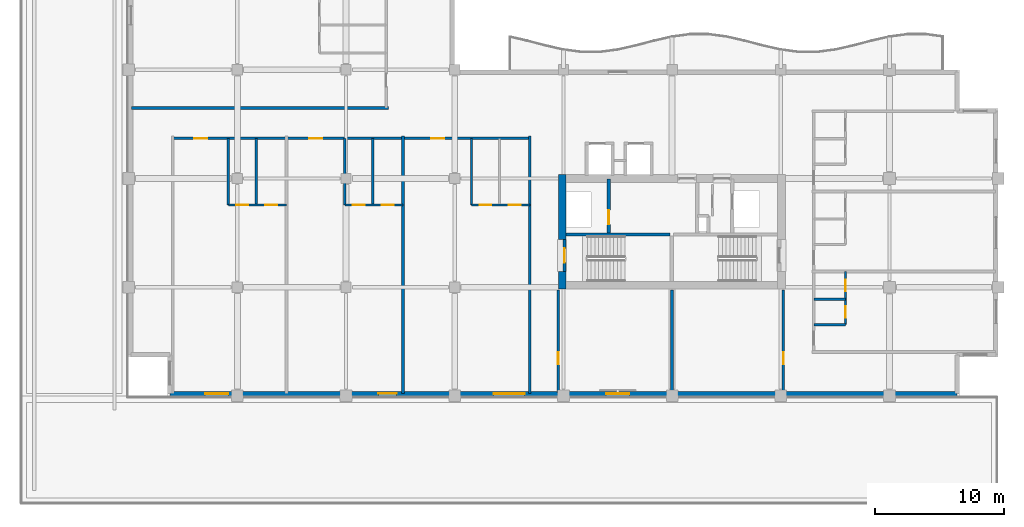
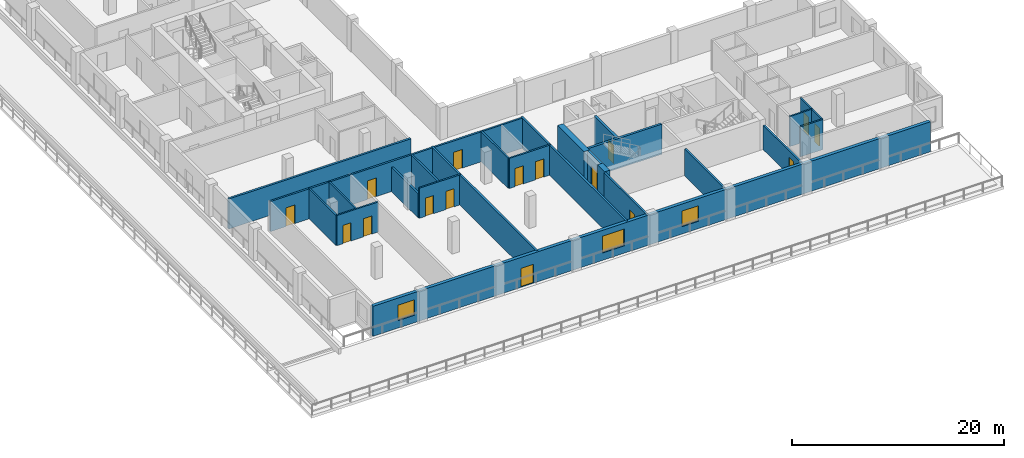
# One storey, part 3 of 13: 24 walls, 16 doors, 3 windows, 19 openings.
"""IFC4 building model written with IfcOpenShell, lengths in metres."""

import ifcopenshell
import ifcopenshell.guid

model = None  # the IFC model being written
_history = None  # IfcOwnerHistory: only IFC2X3 demands one
_inside = {}  # id of a spatial element -> (the spatial element, [elements in it])
_under = {}  # id of a project, library or spatial element -> (it, [spatial elements below it])
_declared = {}  # id of a project -> (the project, [libraries it declares])
_typed = {}  # id of a type object -> (the type object, [elements of that type])
_made_of = {}  # id of a material, layer set ... -> (it, [elements and type objects made of it])


def new_model(schema):
    """Start an empty IFC model of exactly this schema.

    Asked for "IFC4X3", IfcOpenShell would pick the latest addendum, in which some entities
    have other attributes; the version numbers below select the first issue.
    IFC2X3 requires an IfcOwnerHistory on every rooted entity: one is made here for all.
    """
    global model, _history
    if schema == "IFC4X3":
        model = ifcopenshell.file(schema_version=(4, 3, 0, 0))
    else:
        model = ifcopenshell.file(schema=schema)
    _inside.clear()
    _under.clear()
    _declared.clear()
    _typed.clear()
    _made_of.clear()
    _history = None
    if model.schema == "IFC2X3":
        org = make("IfcOrganization", Name="unknown")
        user = make(
            "IfcPersonAndOrganization",
            ThePerson=make("IfcPerson", FamilyName="unknown"),
            TheOrganization=org,
        )
        app = make(
            "IfcApplication",
            ApplicationDeveloper=org,
            Version="unknown",
            ApplicationFullName="unknown",
            ApplicationIdentifier="unknown",
        )
        _history = make(
            "IfcOwnerHistory",
            OwningUser=user,
            OwningApplication=app,
            ChangeAction="ADDED",
            CreationDate=0,
        )
    return model


def make(cls, **values):
    """One entity of the class cls with the attributes given. An attribute that is None is left unset."""
    return model.create_entity(
        cls, **{name: value for name, value in values.items() if value is not None}
    )


def rooted(cls, **values):
    """An entity with a GlobalId (a new one), such as an element, a storey or a relation."""
    return make(cls, GlobalId=ifcopenshell.guid.new(), OwnerHistory=_history, **values)


def si_unit(unit_type, name, prefix=None):
    """IfcSIUnit, for example si_unit("LENGTHUNIT", "METRE", prefix="MILLI")."""
    return make("IfcSIUnit", UnitType=unit_type, Prefix=prefix, Name=name)


def assignment(units):
    """IfcUnitAssignment: the units of a project."""
    return None if units is None else make("IfcUnitAssignment", Units=units)


def point(xyz):
    """IfcCartesianPoint."""
    return None if xyz is None else make("IfcCartesianPoint", Coordinates=xyz)


def direction(xyz):
    """IfcDirection."""
    return None if xyz is None else make("IfcDirection", DirectionRatios=xyz)


def frame(location, z_axis=None, x_axis=None):
    """IfcAxis2Placement3D, a coordinate frame: its origin and axes. An axis left out is left unset."""
    return make(
        "IfcAxis2Placement3D",
        Location=point(location),
        Axis=direction(z_axis),
        RefDirection=direction(x_axis),
    )


def frame_2d(location, x_axis=None):
    """IfcAxis2Placement2D, a coordinate frame in the plane: its origin and x axis."""
    return make(
        "IfcAxis2Placement2D", Location=point(location), RefDirection=direction(x_axis)
    )


def origin():
    """The frame at (0, 0, 0) with its axes left unset."""
    return frame((0.0, 0.0, 0.0))


def place(relative_to, where):
    """IfcLocalPlacement: puts the frame where relative to a parent placement (None: the world)."""
    return make(
        "IfcLocalPlacement", PlacementRelTo=relative_to, RelativePlacement=where
    )


def context(
    kind, dimensions, precision=None, world=None, true_north=None, identifier=None
):
    """IfcGeometricRepresentationContext, for example the 3D "Model" context."""
    return make(
        "IfcGeometricRepresentationContext",
        ContextIdentifier=identifier,
        ContextType=kind,
        CoordinateSpaceDimension=dimensions,
        Precision=precision,
        WorldCoordinateSystem=world,
        TrueNorth=true_north,
    )


def subcontext(parent, identifier, kind, view, scale=None):
    """IfcGeometricRepresentationSubContext, for example "Body" below "Model"."""
    return make(
        "IfcGeometricRepresentationSubContext",
        ContextIdentifier=identifier,
        ContextType=kind,
        ParentContext=parent,
        TargetScale=scale,
        TargetView=view,
    )


def project(units=None, contexts=None):
    """IfcProject with its units and contexts."""
    return rooted(
        "IfcProject",
        Name="project",
        RepresentationContexts=contexts,
        UnitsInContext=assignment(units),
    )


def spatial(cls, under=None, at=None, **own):
    """A site, building, storey or space (cls), placed at a placement, below another one or the project."""
    s = rooted(cls, ObjectPlacement=at, **own)
    if under is not None:
        _under.setdefault(under.id(), (under, []))[1].append(s)
    return s


def profile(cls, at=None, kind="AREA", **sizes):
    """A parametric profile (cls). Its sizes go by their IFC names, for example OverallWidth=200.0."""
    return make(cls, ProfileType=kind, Position=at, **sizes)


def rectangle(**sizes):
    """IfcRectangleProfileDef."""
    return profile("IfcRectangleProfileDef", **sizes)


def extrude(swept, where, along, depth):
    """IfcExtrudedAreaSolid: the profile swept, set in the frame where, extruded along a direction by depth."""
    return make(
        "IfcExtrudedAreaSolid",
        SweptArea=swept,
        Position=where,
        ExtrudedDirection=direction(along),
        Depth=depth,
    )


def shape(context_of_items, identifier, shape_type, items):
    """IfcShapeRepresentation: the items that make up one representation, for example the "Body"."""
    return make(
        "IfcShapeRepresentation",
        ContextOfItems=context_of_items,
        RepresentationIdentifier=identifier,
        RepresentationType=shape_type,
        Items=items,
    )


def material(Name=None, Category=None):
    """IfcMaterial."""
    return make("IfcMaterial", Name=Name, Category=Category)


def layer(
    of_material, thickness, ventilated=None, Name=None, Category=None, Priority=None
):
    """IfcMaterialLayer: one layer of a wall or slab, of a material (None: an air gap)."""
    return make(
        "IfcMaterialLayer",
        Material=of_material,
        LayerThickness=thickness,
        IsVentilated=ventilated,
        Name=Name,
        Category=Category,
        Priority=Priority,
    )


def layer_set(layers, Name=None):
    """IfcMaterialLayerSet."""
    return make("IfcMaterialLayerSet", MaterialLayers=layers, LayerSetName=Name)


def made_of(thing, what):
    """Note that an element or type object is made of a material, layer set ...; save() writes the relation."""
    if what is not None:
        _made_of.setdefault(what.id(), (what, []))[1].append(thing)
    return thing


def type_object(cls, material=None, **own):
    """A type object (cls), such as IfcWallType, which elements share."""
    return made_of(rooted(cls, **own), material)


def element(
    cls,
    number,
    at=None,
    inside=None,
    cuts=None,
    type_object=None,
    material=None,
    context=None,
    identifier="Body",
    shape_type=None,
    held_by="IfcProductDefinitionShape",
    body=None,
    shapes=None,
    **own,
):
    """One element of the class cls, such as IfcWall. Its Tag is "e" and its number.

    at: its placement. inside: the storey or other place that contains it. cuts: it is an
    opening in that element (IfcRelVoidsElement). A single representation is given by context,
    identifier, shape_type and body (its items); several are given by shapes. held_by: the class
    of the entity that holds the representations. save() writes the other relations.
    """
    e = rooted(cls, Tag="e%d" % number, ObjectPlacement=at, **own)
    if body is not None:
        shapes = [shape(context, identifier, shape_type, body)]
    if shapes is not None:
        e.Representation = make(held_by, Representations=shapes)
    if inside is not None:
        _inside.setdefault(inside.id(), (inside, []))[1].append(e)
    if cuts is not None:
        rooted(
            "IfcRelVoidsElement", RelatingBuildingElement=cuts, RelatedOpeningElement=e
        )
    if type_object is not None:
        _typed.setdefault(type_object.id(), (type_object, []))[1].append(e)
    return made_of(e, material)


def fill(opening, filler):
    """IfcRelFillsElement: the door or window that sits in an opening."""
    return rooted(
        "IfcRelFillsElement",
        RelatingOpeningElement=opening,
        RelatedBuildingElement=filler,
    )


def aggregate(whole, parts):
    """IfcRelAggregates: a whole, such as a stair, and the parts it consists of."""
    return rooted("IfcRelAggregates", RelatingObject=whole, RelatedObjects=parts)


def save(model, path):
    """Write the relations noted so far, then the file.

    IfcRelAggregates (storeys below a building ...), IfcRelContainedInSpatialStructure (elements
    in a storey), IfcRelDefinesByType, IfcRelAssociatesMaterial and IfcRelDeclares: one each for
    every whole, place, type object, material and project.
    """
    for whole, parts in _under.values():
        aggregate(whole, parts)
    for where, things in _inside.values():
        rooted(
            "IfcRelContainedInSpatialStructure",
            RelatedElements=things,
            RelatingStructure=where,
        )
    for kind, things in _typed.values():
        rooted("IfcRelDefinesByType", RelatedObjects=things, RelatingType=kind)
    for what, things in _made_of.values():
        rooted("IfcRelAssociatesMaterial", RelatedObjects=things, RelatingMaterial=what)
    for by, libraries in _declared.values():
        rooted("IfcRelDeclares", RelatingContext=by, RelatedDefinitions=libraries)
    model.write(path)


model = new_model("IFC4")

# Units and contexts
model_context = context("Model", 3, precision=1e-05, world=origin(), true_north=direction((0.0, 1.0)))
body_context = subcontext(model_context, "Body", "Model", "MODEL_VIEW")
ifc_project = project(units=[si_unit("LENGTHUNIT", "METRE"), si_unit("AREAUNIT", "SQUARE_METRE"), si_unit("VOLUMEUNIT", "CUBIC_METRE"), si_unit("PLANEANGLEUNIT", "RADIAN"), si_unit("MASSUNIT", "GRAM", prefix="KILO")], contexts=[model_context])

# Site, building, storey
site_placement = place(None, origin())
site = spatial("IfcSite", under=ifc_project, at=site_placement, CompositionType="ELEMENT")
building_placement = place(site_placement, origin())
building = spatial("IfcBuilding", under=site, at=building_placement, Name="Koriwani Terraces Tower", CompositionType="ELEMENT")
storey_placement = place(building_placement, frame((0.0, 0.0, 234.199951171875)))
storey = spatial("IfcBuildingStorey", under=building, at=storey_placement, Name="L57", CompositionType="ELEMENT", Elevation=234.199951171875)

# Walls
ifc_material_1 = material(Name="Concrete C60/75", Category="concrete")
ifc_layer_1 = layer(ifc_material_1, 0.60009765625, Name="Concrete C60/75")
ifc_layer_set_1 = layer_set([ifc_layer_1], Name="Concrete C60/75")
wall_type_1 = type_object("IfcWallType", Name="WALL_CORE_RC_600", PredefinedType="SHEAR", material=ifc_layer_set_1)
wall_1_placement = place(storey_placement, frame((41.89990234375, 16.64990234375, 0.0), z_axis=(0.0, 0.0, 1.0), x_axis=(0.0, 1.0, 0.0)))
element("IfcWall", 1, at=wall_1_placement, inside=storey, type_object=wall_type_1, Name="L57 East Split Core Shear Wall W1", PredefinedType="SHEAR", context=body_context, shape_type="SweptSolid", body=[
    extrude(rectangle(XDim=1.35009765625, YDim=0.60009765625, at=frame_2d((0.675048828125, 0.0))), origin(), (0.0, 0.0, 1.0), 3.469970703125),
])
wall_2_placement = place(storey_placement, frame((41.89990234375, 20.5, 0.0), z_axis=(0.0, 0.0, 1.0), x_axis=(0.0, 1.0, 0.0)))
element("IfcWall", 2, at=wall_2_placement, inside=storey, type_object=wall_type_1, Name="L57 East Split Core Shear Wall W2", PredefinedType="SHEAR", context=body_context, shape_type="SweptSolid", body=[
    extrude(rectangle(XDim=5.0, YDim=0.60009765625, at=frame_2d((2.5, 0.0))), origin(), (0.0, 0.0, 1.0), 3.469970703125),
])

# Wall, opening, door
ifc_material_2 = material(Name="Autoclaved Cellular Concrete Blockwork", Category="masonry")
ifc_layer_2 = layer(ifc_material_2, 0.199951171875, Name="Autoclaved Cellular Concrete Blockwork")
ifc_layer_set_2 = layer_set([ifc_layer_2], Name="Autoclaved Cellular Concrete Blockwork")
wall_type_2 = type_object("IfcWallType", Name="WALL_CORRIDOR_200", PredefinedType="PARTITIONING", material=ifc_layer_set_2)
wall_3_placement = place(storey_placement, frame((41.60009765625, 8.64990234375, 0.0), z_axis=(0.0, 0.0, 1.0), x_axis=(0.0, 1.0, 0.0)))
wall_3 = element("IfcWall", 3, at=wall_3_placement, inside=storey, type_object=wall_type_2, Name="L57 Interior Wall WRZ4-EW-L57", PredefinedType="PARTITIONING", context=body_context, shape_type="SweptSolid", body=[
    extrude(rectangle(XDim=7.9501953125, YDim=0.199951171875, at=frame_2d((3.97509765625, 0.0))), origin(), (0.0, 0.0, 1.0), 3.469970703125),
])
opening_1_placement = place(wall_3_placement, frame((2.199951171875, 0.0, 0.0)))
opening_1 = element("IfcOpeningElement", 4, at=opening_1_placement, cuts=wall_3, Name="Opening D-06", PredefinedType="OPENING", context=body_context, shape_type="SweptSolid", body=[
    extrude(rectangle(XDim=0.919921875, YDim=2.10009765625, at=frame_2d((0.4599609375, 1.050048828125))), frame((0.0, 0.10986328125, 0.0), z_axis=(0.0, -1.0, 0.0), x_axis=(1.0, 0.0, 0.0)), (0.0, 0.0, 1.0), 0.219970703125),
])
ifc_material_3 = material(Name="Architectural Oak Fire Door", Category="wood")
door_type_1 = type_object("IfcDoorType", Name="DOOR_ROOM_INT_920X2100", OperationType="NOTDEFINED", PredefinedType="DOOR", material=ifc_material_3)
door_1_placement = place(opening_1_placement, origin())
door_1 = element("IfcDoor", 5, at=door_1_placement, inside=storey, type_object=door_type_1, Name="L57 Resident Library Study Door", OperationType="SINGLE_SWING_LEFT", OverallHeight=2.10009765625, OverallWidth=0.919921875, PredefinedType="DOOR", context=body_context, shape_type="SweptSolid", body=[
    extrude(rectangle(XDim=0.919921875, YDim=2.10009765625, at=frame_2d((0.4599609375, 1.050048828125))), frame((0.0, 0.02490234375, 0.0), z_axis=(0.0, -1.0, 0.0), x_axis=(1.0, 0.0, 0.0)), (0.0, 0.0, 1.0), 0.050048828125),
])
fill(opening_1, door_1)

wall_4_placement = place(storey_placement, frame((59.0, 8.64990234375, 0.0), z_axis=(0.0, 0.0, 1.0), x_axis=(0.0, 1.0, 0.0)))
wall_4 = element("IfcWall", 6, at=wall_4_placement, inside=storey, type_object=wall_type_2, Name="L57 Interior Wall WRZ4-EE-L57", PredefinedType="PARTITIONING", context=body_context, shape_type="SweptSolid", body=[
    extrude(rectangle(XDim=7.9501953125, YDim=0.199951171875, at=frame_2d((3.97509765625, 0.0))), origin(), (0.0, 0.0, 1.0), 2.820068359375),
])
opening_2_placement = place(wall_4_placement, frame((2.199951171875, 0.0, 0.0)))
opening_2 = element("IfcOpeningElement", 7, at=opening_2_placement, cuts=wall_4, Name="Opening D-06", PredefinedType="OPENING", context=body_context, shape_type="SweptSolid", body=[
    extrude(rectangle(XDim=0.919921875, YDim=2.10009765625, at=frame_2d((0.4599609375, 1.050048828125))), frame((0.0, 0.10986328125, 0.0), z_axis=(0.0, -1.0, 0.0), x_axis=(1.0, 0.0, 0.0)), (0.0, 0.0, 1.0), 0.219970703125),
])
door_2_placement = place(opening_2_placement, origin())
door_2 = element("IfcDoor", 8, at=door_2_placement, inside=storey, type_object=door_type_1, Name="L57 Resident Laundry Room Door", OperationType="SINGLE_SWING_RIGHT", OverallHeight=2.10009765625, OverallWidth=0.919921875, PredefinedType="DOOR", context=body_context, shape_type="SweptSolid", body=[
    extrude(rectangle(XDim=0.919921875, YDim=2.10009765625, at=frame_2d((0.4599609375, 1.050048828125))), frame((0.0, 0.02490234375, 0.0), z_axis=(0.0, -1.0, 0.0), x_axis=(1.0, 0.0, 0.0)), (0.0, 0.0, 1.0), 0.050048828125),
])
fill(opening_2, door_2)

# Wall, openings, doors
wall_5_placement = place(storey_placement, frame((11.800048828125, 28.300048828125, 0.0), z_axis=(0.0, 0.0, 1.0), x_axis=(1.0, 0.0, 0.0)))
wall_5 = element("IfcWall", 9, at=wall_5_placement, inside=storey, type_object=wall_type_2, Name="L57 Interior Wall WRCOR-L57-SW-0", PredefinedType="PARTITIONING", context=body_context, shape_type="SweptSolid", body=[
    extrude(rectangle(XDim=27.599853515625, YDim=0.199951171875, at=frame_2d((13.7998046875, 0.0))), origin(), (0.0, 0.0, 1.0), 3.469970703125),
])
opening_3_placement = place(wall_5_placement, frame((1.669921875, 0.0, 0.0)))
opening_3 = element("IfcOpeningElement", 10, at=opening_3_placement, cuts=wall_5, Name="Opening D-05", PredefinedType="OPENING", context=body_context, shape_type="SweptSolid", body=[
    extrude(rectangle(XDim=1.0, YDim=2.14990234375, at=frame_2d((0.5, 1.074951171875))), frame((0.0, 0.10986328125, 0.0), z_axis=(0.0, -1.0, 0.0), x_axis=(1.0, 0.0, 0.0)), (0.0, 0.0, 1.0), 0.219970703125),
])
opening_4_placement = place(wall_5_placement, frame((10.570068359375, 0.0, 0.0)))
opening_4 = element("IfcOpeningElement", 11, at=opening_4_placement, cuts=wall_5, Name="Opening D-05", PredefinedType="OPENING", context=body_context, shape_type="SweptSolid", body=[
    extrude(rectangle(XDim=1.0, YDim=2.14990234375, at=frame_2d((0.5, 1.074951171875))), frame((0.0, 0.10986328125, 0.0), z_axis=(0.0, -1.0, 0.0), x_axis=(1.0, 0.0, 0.0)), (0.0, 0.0, 1.0), 0.219970703125),
])
opening_5_placement = place(wall_5_placement, frame((19.969970703125, 0.0, 0.0)))
opening_5 = element("IfcOpeningElement", 12, at=opening_5_placement, cuts=wall_5, Name="Opening D-05", PredefinedType="OPENING", context=body_context, shape_type="SweptSolid", body=[
    extrude(rectangle(XDim=1.0, YDim=2.14990234375, at=frame_2d((0.5, 1.074951171875))), frame((0.0, 0.10986328125, 0.0), z_axis=(0.0, -1.0, 0.0), x_axis=(1.0, 0.0, 0.0)), (0.0, 0.0, 1.0), 0.219970703125),
])
door_type_2 = type_object("IfcDoorType", Name="DOOR_SUITE_ENTRY_1000X2150", OperationType="NOTDEFINED", PredefinedType="DOOR", material=ifc_material_3)
door_3_placement = place(opening_3_placement, origin())
door_3 = element("IfcDoor", 13, at=door_3_placement, inside=storey, type_object=door_type_2, Name="Apartment 57SW1 Entrance Door", OperationType="SINGLE_SWING_LEFT", OverallHeight=2.14990234375, OverallWidth=1.0, PredefinedType="DOOR", context=body_context, shape_type="SweptSolid", body=[
    extrude(rectangle(XDim=1.0, YDim=2.14990234375, at=frame_2d((0.5, 1.074951171875))), frame((0.0, 0.02490234375, 0.0), z_axis=(0.0, -1.0, 0.0), x_axis=(1.0, 0.0, 0.0)), (0.0, 0.0, 1.0), 0.050048828125),
])
fill(opening_3, door_3)
door_4_placement = place(opening_4_placement, origin())
door_4 = element("IfcDoor", 14, at=door_4_placement, inside=storey, type_object=door_type_2, Name="Apartment 57SW2 Entrance Door", OperationType="SINGLE_SWING_RIGHT", OverallHeight=2.14990234375, OverallWidth=1.0, PredefinedType="DOOR", context=body_context, shape_type="SweptSolid", body=[
    extrude(rectangle(XDim=1.0, YDim=2.14990234375, at=frame_2d((0.5, 1.074951171875))), frame((0.0, 0.02490234375, 0.0), z_axis=(0.0, -1.0, 0.0), x_axis=(1.0, 0.0, 0.0)), (0.0, 0.0, 1.0), 0.050048828125),
])
fill(opening_4, door_4)
door_5_placement = place(opening_5_placement, origin())
door_5 = element("IfcDoor", 15, at=door_5_placement, inside=storey, type_object=door_type_2, Name="Apartment 57SW3 Entrance Door", OperationType="SINGLE_SWING_LEFT", OverallHeight=2.14990234375, OverallWidth=1.0, PredefinedType="DOOR", context=body_context, shape_type="SweptSolid", body=[
    extrude(rectangle(XDim=1.0, YDim=2.14990234375, at=frame_2d((0.5, 1.074951171875))), frame((0.0, 0.02490234375, 0.0), z_axis=(0.0, -1.0, 0.0), x_axis=(1.0, 0.0, 0.0)), (0.0, 0.0, 1.0), 0.050048828125),
])
fill(opening_5, door_5)

# Walls
ifc_layer_3 = layer(ifc_material_2, 0.219970703125, Name="Autoclaved Cellular Concrete Blockwork")
ifc_layer_set_3 = layer_set([ifc_layer_3], Name="Autoclaved Cellular Concrete Blockwork")
wall_type_3 = type_object("IfcWallType", Name="WALL_DEMISING_220", PredefinedType="PARTITIONING", material=ifc_layer_set_3)
wall_6_placement = place(storey_placement, frame((50.39990234375, 8.64990234375, 0.0), z_axis=(0.0, 0.0, 1.0), x_axis=(0.0, 1.0, 0.0)))
element("IfcWall", 16, at=wall_6_placement, inside=storey, type_object=wall_type_3, Name="L57 Interior Wall WRZ4-EM-L57", PredefinedType="PARTITIONING", context=body_context, shape_type="SweptSolid", body=[
    extrude(rectangle(XDim=7.9501953125, YDim=0.219970703125, at=frame_2d((3.97509765625, 0.0))), origin(), (0.0, 0.0, 1.0), 3.115966796875),
])
for number, where, z_axis, x_axis, name in (
    (17, (29.60009765625, 8.60009765625, 0.0), (0.0, 0.0, 1.0), (0.0, 1.0, 0.0), "L57 Interior Wall WRDEM-L57-SW-2"),
    (18, (39.39990234375, 8.60009765625, 0.0), (0.0, 0.0, 1.0), (0.0, 1.0, 0.0), "L57 Interior Wall WRDEME-L57-SW"),
    (19, (8.60009765625, 30.64990234375, 0.0), (0.0, 0.0, 1.0), (1.0, 0.0, 0.0), "L57 Interior Wall WRDEM-L57-NE-0"),
):
    element("IfcWall", number, at=place(storey_placement, frame(where, z_axis=z_axis, x_axis=x_axis)), inside=storey, type_object=wall_type_3, Name=name, PredefinedType="PARTITIONING", context=body_context, shape_type="SweptSolid", body=[
        extrude(rectangle(XDim=19.8798828125, YDim=0.219970703125, at=frame_2d((9.93994140625, 0.0))), origin(), (0.0, 0.0, 1.0), 3.469970703125),
    ])

# Wall, openings, door, windows
ifc_material_4 = material(Name="Concrete C50/60", Category="concrete")
ifc_layer_4 = layer(ifc_material_4, 0.35009765625, Name="Concrete C50/60")
ifc_layer_set_4 = layer_set([ifc_layer_4], Name="Concrete C50/60")
wall_type_4 = type_object("IfcWallType", Name="WALL_EXT_BRUTALIST_350", PredefinedType="STANDARD", material=ifc_layer_set_4)
wall_7_placement = place(storey_placement, frame((72.425048828125, 8.574951171875, 0.0), z_axis=(0.0, 0.0, 1.0), x_axis=(-1.0, 0.0, 0.0)))
wall_7 = element("IfcWall", 20, at=wall_7_placement, inside=storey, type_object=wall_type_4, Name="L57 Fair-Faced Brutalist Exterior Wall (S)", PredefinedType="STANDARD", context=body_context, shape_type="SweptSolid", body=[
    extrude(rectangle(XDim=60.85009765625, YDim=0.35009765625, at=frame_2d((30.425048828125, 0.0))), origin(), (0.0, 0.0, 1.0), 3.469970703125),
])
opening_6_placement = place(wall_7_placement, frame((43.324951171875, 0.0, 0.0)))
opening_6 = element("IfcOpeningElement", 21, at=opening_6_placement, cuts=wall_7, Name="Opening D-09", PredefinedType="OPENING", context=body_context, shape_type="SweptSolid", body=[
    extrude(rectangle(XDim=1.39990234375, YDim=2.199951171875, at=frame_2d((0.699951171875, 1.10009765625))), frame((0.0, 0.18505859375, 0.0), z_axis=(0.0, -1.0, 0.0), x_axis=(1.0, 0.0, 0.0)), (0.0, 0.0, 1.0), 0.3701171875),
])
opening_7_placement = place(wall_7_placement, frame((33.425048828125, 0.0, 0.85009765625)))
opening_7 = element("IfcOpeningElement", 22, at=opening_7_placement, cuts=wall_7, Name="Opening W-03", PredefinedType="OPENING", context=body_context, shape_type="SweptSolid", body=[
    extrude(rectangle(XDim=2.39990234375, YDim=1.949951171875, at=frame_2d((1.199951171875, 0.97509765625))), frame((0.0, 0.18505859375, 0.0), z_axis=(0.0, -1.0, 0.0), x_axis=(1.0, 0.0, 0.0)), (0.0, 0.0, 1.0), 0.3701171875),
])
opening_8_placement = place(wall_7_placement, frame((25.324951171875, 0.0, 0.85009765625)))
opening_8 = element("IfcOpeningElement", 23, at=opening_8_placement, cuts=wall_7, Name="Opening W-04", PredefinedType="OPENING", context=body_context, shape_type="SweptSolid", body=[
    extrude(rectangle(XDim=1.800048828125, YDim=1.800048828125, at=frame_2d((0.89990234375, 0.89990234375))), frame((0.0, 0.18505859375, 0.0), z_axis=(0.0, -1.0, 0.0), x_axis=(1.0, 0.0, 0.0)), (0.0, 0.0, 1.0), 0.3701171875),
])
opening_9_placement = place(wall_7_placement, frame((56.324951171875, 0.0, 0.85009765625)))
opening_9 = element("IfcOpeningElement", 24, at=opening_9_placement, cuts=wall_7, Name="Opening W-04", PredefinedType="OPENING", context=body_context, shape_type="SweptSolid", body=[
    extrude(rectangle(XDim=1.800048828125, YDim=1.800048828125, at=frame_2d((0.89990234375, 0.89990234375))), frame((0.0, 0.18505859375, 0.0), z_axis=(0.0, -1.0, 0.0), x_axis=(1.0, 0.0, 0.0)), (0.0, 0.0, 1.0), 0.3701171875),
])
ifc_material_5 = material(Name="Anodised Bronze Aluminium", Category="aluminium")
door_type_3 = type_object("IfcDoorType", Name="DOOR_BALCONY_GLAZED_1400X2200", OperationType="NOTDEFINED", PredefinedType="DOOR", material=ifc_material_5)
door_6_placement = place(opening_6_placement, origin())
door_6 = element("IfcDoor", 25, at=door_6_placement, inside=storey, type_object=door_type_3, Name="L57 South Spine Sky-Garden Terrace Door", OperationType="SINGLE_SWING_LEFT", OverallHeight=2.199951171875, OverallWidth=1.39990234375, PredefinedType="DOOR", context=body_context, shape_type="SweptSolid", body=[
    extrude(rectangle(XDim=1.39990234375, YDim=2.199951171875, at=frame_2d((0.699951171875, 1.10009765625))), frame((0.0, 0.02490234375, 0.0), z_axis=(0.0, -1.0, 0.0), x_axis=(1.0, 0.0, 0.0)), (0.0, 0.0, 1.0), 0.050048828125),
])
fill(opening_6, door_6)
ifc_material_6 = material(Name="Tempered Laminated Low-E Glass", Category="glass")
window_type_1 = type_object("IfcWindowType", Name="WIN_RES_BED_1800X1800", PartitioningType="DOUBLE_PANEL_VERTICAL", PredefinedType="WINDOW", material=ifc_material_6)
window_1_placement = place(opening_8_placement, origin())
window_1 = element("IfcWindow", 26, at=window_1_placement, inside=storey, type_object=window_type_1, Name="L57 Exterior Window (S-12)", OverallHeight=1.800048828125, OverallWidth=1.800048828125, PartitioningType="SINGLE_PANEL", PredefinedType="WINDOW", context=body_context, shape_type="SweptSolid", body=[
    extrude(rectangle(XDim=1.800048828125, YDim=1.800048828125, at=frame_2d((0.89990234375, 0.89990234375))), frame((0.0, 0.030029296875, 0.0), z_axis=(0.0, -1.0, 0.0), x_axis=(1.0, 0.0, 0.0)), (0.0, 0.0, 1.0), 0.06005859375),
])
fill(opening_8, window_1)
window_2_placement = place(opening_9_placement, origin())
window_2 = element("IfcWindow", 27, at=window_2_placement, inside=storey, type_object=window_type_1, Name="L57 Exterior Window (S-R31)", OverallHeight=1.800048828125, OverallWidth=1.800048828125, PartitioningType="SINGLE_PANEL", PredefinedType="WINDOW", context=body_context, shape_type="SweptSolid", body=[
    extrude(rectangle(XDim=1.800048828125, YDim=1.800048828125, at=frame_2d((0.89990234375, 0.89990234375))), frame((0.0, 0.030029296875, 0.0), z_axis=(0.0, -1.0, 0.0), x_axis=(1.0, 0.0, 0.0)), (0.0, 0.0, 1.0), 0.06005859375),
])
fill(opening_9, window_2)
window_type_2 = type_object("IfcWindowType", Name="WIN_RES_LIVING_2400X1950", PartitioningType="DOUBLE_PANEL_VERTICAL", PredefinedType="WINDOW", material=ifc_material_6)
window_3_placement = place(opening_7_placement, origin())
window_3 = element("IfcWindow", 28, at=window_3_placement, inside=storey, type_object=window_type_2, Name="L57 Exterior Window (S-9)", OverallHeight=1.949951171875, OverallWidth=2.39990234375, PartitioningType="SINGLE_PANEL", PredefinedType="WINDOW", context=body_context, shape_type="SweptSolid", body=[
    extrude(rectangle(XDim=2.39990234375, YDim=1.949951171875, at=frame_2d((1.199951171875, 0.97509765625))), frame((0.0, 0.030029296875, 0.0), z_axis=(0.0, -1.0, 0.0), x_axis=(1.0, 0.0, 0.0)), (0.0, 0.0, 1.0), 0.06005859375),
])
fill(opening_7, window_3)

# Wall, openings, doors
ifc_material_7 = material(Name="Fire-Rated Acoustic Gypsum Partition", Category="masonry")
ifc_layer_5 = layer(ifc_material_7, 0.179931640625, Name="Fire-Rated Acoustic Gypsum Partition")
ifc_layer_set_5 = layer_set([ifc_layer_5], Name="Fire-Rated Acoustic Gypsum Partition")
wall_type_5 = type_object("IfcWallType", Name="WALL_PLUMBING_180", PredefinedType="PLUMBINGWALL", material=ifc_layer_set_5)
wall_8_placement = place(storey_placement, frame((16.10009765625, 23.14990234375, 0.0), z_axis=(0.0, 0.0, 1.0), x_axis=(1.0, 0.0, 0.0)))
wall_8 = element("IfcWall", 29, at=wall_8_placement, inside=storey, type_object=wall_type_5, Name="L57 Interior Wall WRSVC-L57-SW-0", PredefinedType="PLUMBINGWALL", context=body_context, shape_type="SweptSolid", body=[
    extrude(rectangle(XDim=4.5, YDim=0.179931640625, at=frame_2d((2.25, 0.0))), origin(), (0.0, 0.0, 1.0), 3.469970703125),
])
opening_10_placement = place(wall_8_placement, frame((0.6298828125, 0.0, 0.0)))
opening_10 = element("IfcOpeningElement", 30, at=opening_10_placement, cuts=wall_8, Name="Opening D-07", PredefinedType="OPENING", context=body_context, shape_type="SweptSolid", body=[
    extrude(rectangle(XDim=0.89990234375, YDim=2.10009765625, at=frame_2d((0.449951171875, 1.050048828125))), frame((0.0, 0.10009765625, 0.0), z_axis=(0.0, -1.0, 0.0), x_axis=(1.0, 0.0, 0.0)), (0.0, 0.0, 1.0), 0.199951171875),
])
opening_11_placement = place(wall_8_placement, frame((2.8701171875, 0.0, 0.0)))
opening_11 = element("IfcOpeningElement", 31, at=opening_11_placement, cuts=wall_8, Name="Opening D-06", PredefinedType="OPENING", context=body_context, shape_type="SweptSolid", body=[
    extrude(rectangle(XDim=0.919921875, YDim=2.10009765625, at=frame_2d((0.4599609375, 1.050048828125))), frame((0.0, 0.10009765625, 0.0), z_axis=(0.0, -1.0, 0.0), x_axis=(1.0, 0.0, 0.0)), (0.0, 0.0, 1.0), 0.199951171875),
])
door_type_4 = type_object("IfcDoorType", Name="DOOR_BATH_INT_900X2100", OperationType="NOTDEFINED", PredefinedType="DOOR", material=ifc_material_3)
door_7_placement = place(opening_10_placement, origin())
door_7 = element("IfcDoor", 32, at=door_7_placement, inside=storey, type_object=door_type_4, Name="Apartment 57SW1 Bathroom Door", OperationType="SINGLE_SWING_RIGHT", OverallHeight=2.10009765625, OverallWidth=0.89990234375, PredefinedType="DOOR", context=body_context, shape_type="SweptSolid", body=[
    extrude(rectangle(XDim=0.89990234375, YDim=2.10009765625, at=frame_2d((0.449951171875, 1.050048828125))), frame((0.0, 0.02490234375, 0.0), z_axis=(0.0, -1.0, 0.0), x_axis=(1.0, 0.0, 0.0)), (0.0, 0.0, 1.0), 0.050048828125),
])
fill(opening_10, door_7)
door_8_placement = place(opening_11_placement, origin())
door_8 = element("IfcDoor", 33, at=door_8_placement, inside=storey, type_object=door_type_1, Name="Apartment 57SW1 Kitchen Door", OperationType="SINGLE_SWING_LEFT", OverallHeight=2.10009765625, OverallWidth=0.919921875, PredefinedType="DOOR", context=body_context, shape_type="SweptSolid", body=[
    extrude(rectangle(XDim=0.919921875, YDim=2.10009765625, at=frame_2d((0.4599609375, 1.050048828125))), frame((0.0, 0.02490234375, 0.0), z_axis=(0.0, -1.0, 0.0), x_axis=(1.0, 0.0, 0.0)), (0.0, 0.0, 1.0), 0.050048828125),
])
fill(opening_11, door_8)

# Walls
for number, where, z_axis, x_axis, name in (
    (34, (16.10009765625, 23.14990234375, 0.0), (0.0, 0.0, 1.0), (0.0, 1.0, 0.0), "L57 Interior Wall WRSVCS-L57-SW-0"),
    (35, (18.260009765625, 23.14990234375, 0.0), (0.0, 0.0, 1.0), (0.0, 1.0, 0.0), "L57 Interior Wall WRSVCM-L57-SW-0"),
):
    element("IfcWall", number, at=place(storey_placement, frame(where, z_axis=z_axis, x_axis=x_axis)), inside=storey, type_object=wall_type_5, Name=name, PredefinedType="PLUMBINGWALL", context=body_context, shape_type="SweptSolid", body=[
        extrude(rectangle(XDim=5.150146484375, YDim=0.179931640625, at=frame_2d((2.5751953125, 0.0))), origin(), (0.0, 0.0, 1.0), 3.469970703125),
    ])

# Wall, openings, doors
wall_9_placement = place(storey_placement, frame((25.10009765625, 23.14990234375, 0.0), z_axis=(0.0, 0.0, 1.0), x_axis=(1.0, 0.0, 0.0)))
wall_9 = element("IfcWall", 36, at=wall_9_placement, inside=storey, type_object=wall_type_5, Name="L57 Interior Wall WRSVC-L57-SW-1", PredefinedType="PLUMBINGWALL", context=body_context, shape_type="SweptSolid", body=[
    extrude(rectangle(XDim=4.5, YDim=0.179931640625, at=frame_2d((2.25, 0.0))), origin(), (0.0, 0.0, 1.0), 3.469970703125),
])
opening_12_placement = place(wall_9_placement, frame((0.6298828125, 0.0, 0.0)))
opening_12 = element("IfcOpeningElement", 37, at=opening_12_placement, cuts=wall_9, Name="Opening D-07", PredefinedType="OPENING", context=body_context, shape_type="SweptSolid", body=[
    extrude(rectangle(XDim=0.89990234375, YDim=2.10009765625, at=frame_2d((0.449951171875, 1.050048828125))), frame((0.0, 0.10009765625, 0.0), z_axis=(0.0, -1.0, 0.0), x_axis=(1.0, 0.0, 0.0)), (0.0, 0.0, 1.0), 0.199951171875),
])
opening_13_placement = place(wall_9_placement, frame((2.8701171875, 0.0, 0.0)))
opening_13 = element("IfcOpeningElement", 38, at=opening_13_placement, cuts=wall_9, Name="Opening D-06", PredefinedType="OPENING", context=body_context, shape_type="SweptSolid", body=[
    extrude(rectangle(XDim=0.919921875, YDim=2.10009765625, at=frame_2d((0.4599609375, 1.050048828125))), frame((0.0, 0.10009765625, 0.0), z_axis=(0.0, -1.0, 0.0), x_axis=(1.0, 0.0, 0.0)), (0.0, 0.0, 1.0), 0.199951171875),
])
door_9_placement = place(opening_12_placement, origin())
door_9 = element("IfcDoor", 39, at=door_9_placement, inside=storey, type_object=door_type_4, Name="Apartment 57SW2 Bathroom Door", OperationType="SINGLE_SWING_LEFT", OverallHeight=2.10009765625, OverallWidth=0.89990234375, PredefinedType="DOOR", context=body_context, shape_type="SweptSolid", body=[
    extrude(rectangle(XDim=0.89990234375, YDim=2.10009765625, at=frame_2d((0.449951171875, 1.050048828125))), frame((0.0, 0.02490234375, 0.0), z_axis=(0.0, -1.0, 0.0), x_axis=(1.0, 0.0, 0.0)), (0.0, 0.0, 1.0), 0.050048828125),
])
fill(opening_12, door_9)
door_10_placement = place(opening_13_placement, origin())
door_10 = element("IfcDoor", 40, at=door_10_placement, inside=storey, type_object=door_type_1, Name="Apartment 57SW2 Kitchen Door", OperationType="SINGLE_SWING_RIGHT", OverallHeight=2.10009765625, OverallWidth=0.919921875, PredefinedType="DOOR", context=body_context, shape_type="SweptSolid", body=[
    extrude(rectangle(XDim=0.919921875, YDim=2.10009765625, at=frame_2d((0.4599609375, 1.050048828125))), frame((0.0, 0.02490234375, 0.0), z_axis=(0.0, -1.0, 0.0), x_axis=(1.0, 0.0, 0.0)), (0.0, 0.0, 1.0), 0.050048828125),
])
fill(opening_13, door_10)

# Walls
wall_10_placement = place(storey_placement, frame((25.10009765625, 23.14990234375, 0.0), z_axis=(0.0, 0.0, 1.0), x_axis=(0.0, 1.0, 0.0)))
element("IfcWall", 41, at=wall_10_placement, inside=storey, type_object=wall_type_5, Name="L57 Interior Wall WRSVCS-L57-SW-1", PredefinedType="PLUMBINGWALL", context=body_context, shape_type="SweptSolid", body=[
    extrude(rectangle(XDim=5.150146484375, YDim=0.179931640625, at=frame_2d((2.5751953125, 0.0))), origin(), (0.0, 0.0, 1.0), 2.820068359375),
])
wall_11_placement = place(storey_placement, frame((27.260009765625, 23.14990234375, 0.0), z_axis=(0.0, 0.0, 1.0), x_axis=(0.0, 1.0, 0.0)))
element("IfcWall", 42, at=wall_11_placement, inside=storey, type_object=wall_type_5, Name="L57 Interior Wall WRSVCM-L57-SW-1", PredefinedType="PLUMBINGWALL", context=body_context, shape_type="SweptSolid", body=[
    extrude(rectangle(XDim=5.150146484375, YDim=0.179931640625, at=frame_2d((2.5751953125, 0.0))), origin(), (0.0, 0.0, 1.0), 3.469970703125),
])

# Wall, openings, doors
wall_12_placement = place(storey_placement, frame((34.89990234375, 23.14990234375, 0.0), z_axis=(0.0, 0.0, 1.0), x_axis=(1.0, 0.0, 0.0)))
wall_12 = element("IfcWall", 43, at=wall_12_placement, inside=storey, type_object=wall_type_5, Name="L57 Interior Wall WRSVC-L57-SW-2", PredefinedType="PLUMBINGWALL", context=body_context, shape_type="SweptSolid", body=[
    extrude(rectangle(XDim=4.5, YDim=0.179931640625, at=frame_2d((2.25, 0.0))), origin(), (0.0, 0.0, 1.0), 3.469970703125),
])
opening_14_placement = place(wall_12_placement, frame((0.6298828125, 0.0, 0.0)))
opening_14 = element("IfcOpeningElement", 44, at=opening_14_placement, cuts=wall_12, Name="Opening D-07", PredefinedType="OPENING", context=body_context, shape_type="SweptSolid", body=[
    extrude(rectangle(XDim=0.89990234375, YDim=2.10009765625, at=frame_2d((0.449951171875, 1.050048828125))), frame((0.0, 0.10009765625, 0.0), z_axis=(0.0, -1.0, 0.0), x_axis=(1.0, 0.0, 0.0)), (0.0, 0.0, 1.0), 0.199951171875),
])
opening_15_placement = place(wall_12_placement, frame((2.8701171875, 0.0, 0.0)))
opening_15 = element("IfcOpeningElement", 45, at=opening_15_placement, cuts=wall_12, Name="Opening D-06", PredefinedType="OPENING", context=body_context, shape_type="SweptSolid", body=[
    extrude(rectangle(XDim=0.919921875, YDim=2.10009765625, at=frame_2d((0.4599609375, 1.050048828125))), frame((0.0, 0.10009765625, 0.0), z_axis=(0.0, -1.0, 0.0), x_axis=(1.0, 0.0, 0.0)), (0.0, 0.0, 1.0), 0.199951171875),
])
door_11_placement = place(opening_14_placement, origin())
door_11 = element("IfcDoor", 46, at=door_11_placement, inside=storey, type_object=door_type_4, Name="Apartment 57SW3 Bathroom Door", OperationType="SINGLE_SWING_RIGHT", OverallHeight=2.10009765625, OverallWidth=0.89990234375, PredefinedType="DOOR", context=body_context, shape_type="SweptSolid", body=[
    extrude(rectangle(XDim=0.89990234375, YDim=2.10009765625, at=frame_2d((0.449951171875, 1.050048828125))), frame((0.0, 0.02490234375, 0.0), z_axis=(0.0, -1.0, 0.0), x_axis=(1.0, 0.0, 0.0)), (0.0, 0.0, 1.0), 0.050048828125),
])
fill(opening_14, door_11)
door_12_placement = place(opening_15_placement, origin())
door_12 = element("IfcDoor", 47, at=door_12_placement, inside=storey, type_object=door_type_1, Name="Apartment 57SW3 Kitchen Door", OperationType="SINGLE_SWING_LEFT", OverallHeight=2.10009765625, OverallWidth=0.919921875, PredefinedType="DOOR", context=body_context, shape_type="SweptSolid", body=[
    extrude(rectangle(XDim=0.919921875, YDim=2.10009765625, at=frame_2d((0.4599609375, 1.050048828125))), frame((0.0, 0.02490234375, 0.0), z_axis=(0.0, -1.0, 0.0), x_axis=(1.0, 0.0, 0.0)), (0.0, 0.0, 1.0), 0.050048828125),
])
fill(opening_15, door_12)

# Wall
wall_13_placement = place(storey_placement, frame((34.89990234375, 23.14990234375, 0.0), z_axis=(0.0, 0.0, 1.0), x_axis=(0.0, 1.0, 0.0)))
element("IfcWall", 48, at=wall_13_placement, inside=storey, type_object=wall_type_5, Name="L57 Interior Wall WRSVCS-L57-SW-2", PredefinedType="PLUMBINGWALL", context=body_context, shape_type="SweptSolid", body=[
    extrude(rectangle(XDim=5.150146484375, YDim=0.179931640625, at=frame_2d((2.5751953125, 0.0))), origin(), (0.0, 0.0, 1.0), 3.469970703125),
])

# Wall, openings, doors
wall_14_placement = place(storey_placement, frame((63.800048828125, 13.89990234375, 0.0), z_axis=(0.0, 0.0, 1.0), x_axis=(0.0, 1.0, 0.0)))
wall_14 = element("IfcWall", 49, at=wall_14_placement, inside=storey, type_object=wall_type_5, Name="L57 Interior Wall WRSVC-L57-ETE-0", PredefinedType="PLUMBINGWALL", context=body_context, shape_type="SweptSolid", body=[
    extrude(rectangle(XDim=4.10009765625, YDim=0.179931640625, at=frame_2d((2.050048828125, 0.0))), origin(), (0.0, 0.0, 1.0), 3.469970703125),
])
opening_16_placement = place(wall_14_placement, frame((0.533935546875, 0.0, 0.0)))
opening_16 = element("IfcOpeningElement", 50, at=opening_16_placement, cuts=wall_14, Name="Opening D-07", PredefinedType="OPENING", context=body_context, shape_type="SweptSolid", body=[
    extrude(rectangle(XDim=0.89990234375, YDim=2.10009765625, at=frame_2d((0.449951171875, 1.050048828125))), frame((0.0, 0.10009765625, 0.0), z_axis=(0.0, -1.0, 0.0), x_axis=(1.0, 0.0, 0.0)), (0.0, 0.0, 1.0), 0.199951171875),
])
opening_17_placement = place(wall_14_placement, frame((2.573974609375, 0.0, 0.0)))
opening_17 = element("IfcOpeningElement", 51, at=opening_17_placement, cuts=wall_14, Name="Opening D-06", PredefinedType="OPENING", context=body_context, shape_type="SweptSolid", body=[
    extrude(rectangle(XDim=0.919921875, YDim=2.10009765625, at=frame_2d((0.4599609375, 1.050048828125))), frame((0.0, 0.10009765625, 0.0), z_axis=(0.0, -1.0, 0.0), x_axis=(1.0, 0.0, 0.0)), (0.0, 0.0, 1.0), 0.199951171875),
])
door_13_placement = place(opening_16_placement, origin())
door_13 = element("IfcDoor", 52, at=door_13_placement, inside=storey, type_object=door_type_4, Name="Apartment 57ETE1 Bathroom Door", OperationType="SINGLE_SWING_RIGHT", OverallHeight=2.10009765625, OverallWidth=0.89990234375, PredefinedType="DOOR", context=body_context, shape_type="SweptSolid", body=[
    extrude(rectangle(XDim=0.89990234375, YDim=2.10009765625, at=frame_2d((0.449951171875, 1.050048828125))), frame((0.0, 0.02490234375, 0.0), z_axis=(0.0, -1.0, 0.0), x_axis=(1.0, 0.0, 0.0)), (0.0, 0.0, 1.0), 0.050048828125),
])
fill(opening_16, door_13)
door_14_placement = place(opening_17_placement, origin())
door_14 = element("IfcDoor", 53, at=door_14_placement, inside=storey, type_object=door_type_1, Name="Apartment 57ETE1 Kitchen Door", OperationType="SINGLE_SWING_LEFT", OverallHeight=2.10009765625, OverallWidth=0.919921875, PredefinedType="DOOR", context=body_context, shape_type="SweptSolid", body=[
    extrude(rectangle(XDim=0.919921875, YDim=2.10009765625, at=frame_2d((0.4599609375, 1.050048828125))), frame((0.0, 0.02490234375, 0.0), z_axis=(0.0, -1.0, 0.0), x_axis=(1.0, 0.0, 0.0)), (0.0, 0.0, 1.0), 0.050048828125),
])
fill(opening_17, door_14)

# Walls
for number, where, z_axis, x_axis, name in (
    (54, (61.35009765625, 13.89990234375, 0.0), (0.0, 0.0, 1.0), (1.0, 0.0, 0.0), "L57 Interior Wall WRSVCS-L57-ETE-0"),
    (55, (61.35009765625, 15.867919921875, 0.0), (0.0, 0.0, 1.0), (1.0, 0.0, 0.0), "L57 Interior Wall WRSVCM-L57-ETE-0"),
):
    element("IfcWall", number, at=place(storey_placement, frame(where, z_axis=z_axis, x_axis=x_axis)), inside=storey, type_object=wall_type_5, Name=name, PredefinedType="PLUMBINGWALL", context=body_context, shape_type="SweptSolid", body=[
        extrude(rectangle(XDim=2.449951171875, YDim=0.179931640625, at=frame_2d((1.22509765625, 0.0))), origin(), (0.0, 0.0, 1.0), 3.469970703125),
    ])
ifc_material_8 = material(Name="Concrete C40/50", Category="concrete")
ifc_layer_6 = layer(ifc_material_8, 0.25, Name="Concrete C40/50")
ifc_layer_set_6 = layer_set([ifc_layer_6], Name="Concrete C40/50")
wall_type_6 = type_object("IfcWallType", Name="WALL_SHAFT_RATED_250", PredefinedType="SOLIDWALL", material=ifc_layer_set_6)
wall_15_placement = place(storey_placement, frame((42.199951171875, 20.875, 0.0), z_axis=(0.0, 0.0, 1.0), x_axis=(1.0, 0.0, 0.0)))
element("IfcWall", 56, at=wall_15_placement, inside=storey, type_object=wall_type_6, Name="L57 East Split Core Web Wall MID1", PredefinedType="SOLIDWALL", context=body_context, shape_type="SweptSolid", body=[
    extrude(rectangle(XDim=8.050048828125, YDim=0.25, at=frame_2d((4.02490234375, 0.0))), origin(), (0.0, 0.0, 1.0), 3.469970703125),
])

# Wall, opening, door
wall_16_placement = place(storey_placement, frame((42.074951171875, 18.0, 0.0), z_axis=(0.0, 0.0, 1.0), x_axis=(0.0, 1.0, 0.0)))
wall_16 = element("IfcWall", 57, at=wall_16_placement, inside=storey, type_object=wall_type_6, Name="L57 Interior Wall WIN-CE-L57-STW", PredefinedType="SOLIDWALL", context=body_context, shape_type="SweptSolid", body=[
    extrude(rectangle(XDim=2.5, YDim=0.25, at=frame_2d((1.25, 0.0))), origin(), (0.0, 0.0, 1.0), 3.469970703125),
])
opening_18_placement = place(wall_16_placement, frame((0.699951171875, 0.0, 0.0)))
opening_18 = element("IfcOpeningElement", 58, at=opening_18_placement, cuts=wall_16, Name="Opening D-03", PredefinedType="OPENING", context=body_context, shape_type="SweptSolid", body=[
    extrude(rectangle(XDim=1.10009765625, YDim=2.14990234375, at=frame_2d((0.550048828125, 1.074951171875))), frame((0.0, 0.135009765625, 0.0), z_axis=(0.0, -1.0, 0.0), x_axis=(1.0, 0.0, 0.0)), (0.0, 0.0, 1.0), 0.27001953125),
])
ifc_material_9 = material(Name="Steel ASTM A572 Grade 50", Category="steel")
door_type_5 = type_object("IfcDoorType", Name="DOOR_STAIR_FIRE_1100X2150", OperationType="NOTDEFINED", PredefinedType="DOOR", material=ifc_material_9)
door_15_placement = place(opening_18_placement, origin())
door_15 = element("IfcDoor", 59, at=door_15_placement, inside=storey, type_object=door_type_5, Name="L57 Exit Stair ST-E1 Door", OperationType="SINGLE_SWING_RIGHT", OverallHeight=2.14990234375, OverallWidth=1.10009765625, PredefinedType="DOOR", context=body_context, shape_type="SweptSolid", body=[
    extrude(rectangle(XDim=1.10009765625, YDim=2.14990234375, at=frame_2d((0.550048828125, 1.074951171875))), frame((0.0, 0.02490234375, 0.0), z_axis=(0.0, -1.0, 0.0), x_axis=(1.0, 0.0, 0.0)), (0.0, 0.0, 1.0), 0.050048828125),
])
fill(opening_18, door_15)

wall_17_placement = place(storey_placement, frame((45.5, 21.0, 0.0), z_axis=(0.0, 0.0, 1.0), x_axis=(0.0, 1.0, 0.0)))
wall_17 = element("IfcWall", 60, at=wall_17_placement, inside=storey, type_object=wall_type_6, Name="L57 Interior Wall WIN-CE-L57-FE", PredefinedType="SOLIDWALL", context=body_context, shape_type="SweptSolid", body=[
    extrude(rectangle(XDim=4.14990234375, YDim=0.25, at=frame_2d((2.074951171875, 0.0))), origin(), (0.0, 0.0, 1.0), 3.469970703125),
])
opening_19_placement = place(wall_17_placement, frame((0.64990234375, 0.0, 0.0)))
opening_19 = element("IfcOpeningElement", 61, at=opening_19_placement, cuts=wall_17, Name="Opening LD-01", PredefinedType="OPENING", context=body_context, shape_type="SweptSolid", body=[
    extrude(rectangle(XDim=1.10009765625, YDim=2.14990234375, at=frame_2d((0.550048828125, 1.074951171875))), frame((0.0, 0.135009765625, 0.0), z_axis=(0.0, -1.0, 0.0), x_axis=(1.0, 0.0, 0.0)), (0.0, 0.0, 1.0), 0.27001953125),
])
door_type_6 = type_object("IfcDoorType", Name="DOOR_LIFT_LANDING_1100X2200", OperationType="NOTDEFINED", PredefinedType="DOOR", material=ifc_material_9)
door_16_placement = place(opening_19_placement, origin())
door_16 = element("IfcDoor", 62, at=door_16_placement, inside=storey, type_object=door_type_6, Name="L57 Firefighting Lift FE-02 Landing Door", OperationType="SLIDING_TO_LEFT", OverallHeight=2.14990234375, OverallWidth=1.10009765625, PredefinedType="DOOR", context=body_context, shape_type="SweptSolid", body=[
    extrude(rectangle(XDim=1.10009765625, YDim=2.14990234375, at=frame_2d((0.550048828125, 1.074951171875))), frame((0.0, 0.02490234375, 0.0), z_axis=(0.0, -1.0, 0.0), x_axis=(1.0, 0.0, 0.0)), (0.0, 0.0, 1.0), 0.050048828125),
])
fill(opening_19, door_16)

save(model, "model.ifc")
